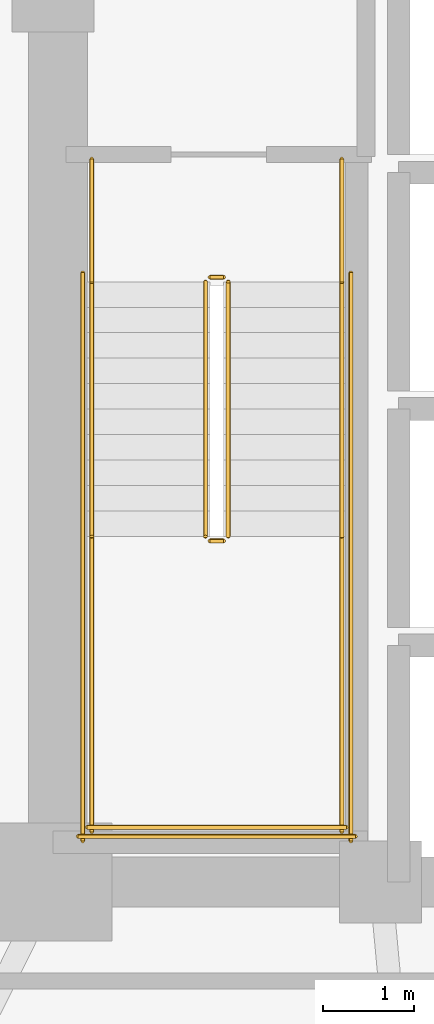
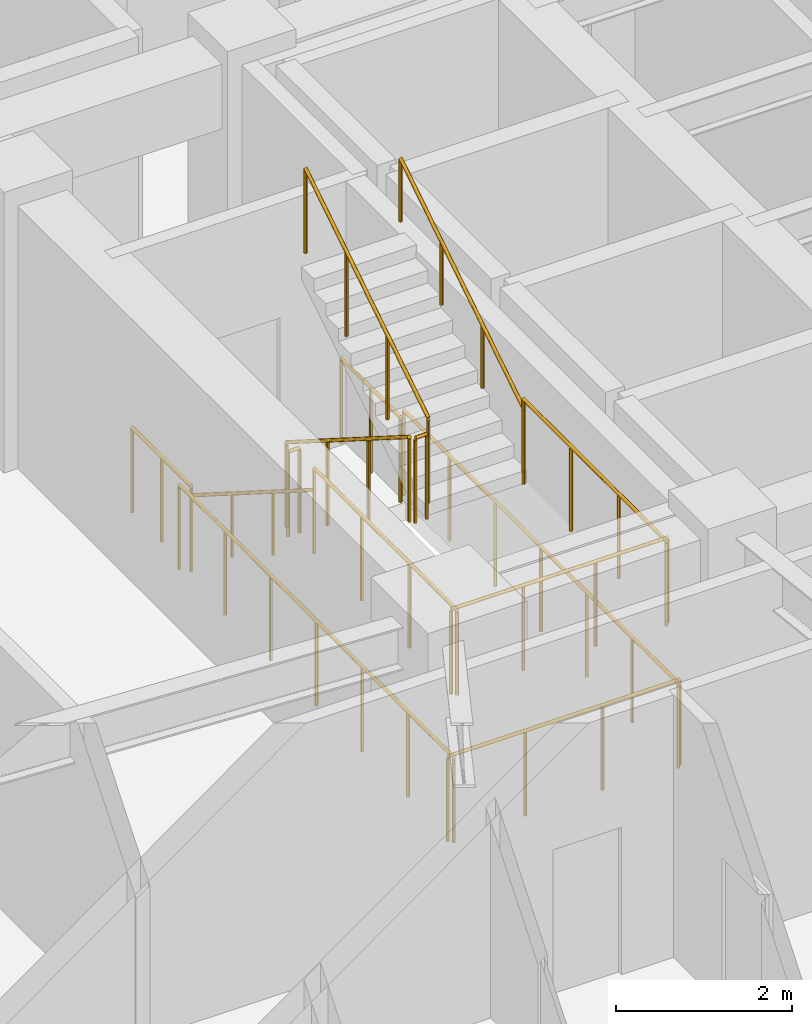
# One storey, part 10 of 11: 14 railings.
"""IFC4 building model written with IfcOpenShell, lengths in metres."""

from ifc_helpers import new_model, si_unit, direction, frame, origin, origin_2d, place, context, subcontext, project, spatial, circle, extrude, material, type_object, element, save


model = new_model("IFC4")

# Units and contexts
model_context = context("Model", 3, precision=1e-05, world=origin(), true_north=direction((0.0, 1.0)))
body_context = subcontext(model_context, "Body", "Model", "MODEL_VIEW")
ifc_project = project(units=[si_unit("LENGTHUNIT", "METRE"), si_unit("AREAUNIT", "SQUARE_METRE"), si_unit("VOLUMEUNIT", "CUBIC_METRE"), si_unit("PLANEANGLEUNIT", "RADIAN"), si_unit("MASSUNIT", "GRAM", prefix="KILO")], contexts=[model_context])

# Site, building, storey
site_placement = place(None, origin())
site = spatial("IfcSite", under=ifc_project, at=site_placement, CompositionType="ELEMENT")
building_placement = place(site_placement, origin())
building = spatial("IfcBuilding", under=site, at=building_placement, Name="Voryun Gate Residences", CompositionType="ELEMENT")
storey_placement = place(building_placement, frame((0.0, 0.0, 97.5)))
storey = spatial("IfcBuildingStorey", under=building, at=storey_placement, Name="L23", CompositionType="ELEMENT", Elevation=97.5)

# Railings
ifc_material_1 = material(Name="Painted steel", Category="steel")
railing_type_1 = type_object("IfcRailingType", Name="RAIL_STAIR_GUARD_1200", PredefinedType="GUARDRAIL", material=ifc_material_1)
railing_1_placement = place(storey_placement, frame((-17.52490234375, -0.800048828125, 0.17724609375)))
element("IfcRailing", 1, at=railing_1_placement, inside=storey, type_object=railing_type_1, Name="L23 ST-W1 stair guard 1", PredefinedType="GUARDRAIL", context=body_context, shape_type="SweptSolid", body=[
    extrude(circle(Radius=0.02392578125, at=origin_2d()), frame((0.0, 0.0, 1.17578125), z_axis=(0.0, -0.844908973607, 0.534910110503), x_axis=(1.0, 0.0, 0.0)), (0.0, 0.0, 1.0), 3.31396484375),
    extrude(circle(Radius=0.02099609375, at=origin_2d()), origin(), (0.0, 0.0, 1.0), 1.15185546875),
    extrude(circle(Radius=0.02099609375, at=origin_2d()), frame((0.0, -0.933349609375, 0.5908203125)), (0.0, 0.0, 1.0), 1.15185546875),
    extrude(circle(Radius=0.02099609375, at=origin_2d()), frame((0.0, -1.86669921875, 1.181884765625)), (0.0, 0.0, 1.0), 1.15185546875),
    extrude(circle(Radius=0.02099609375, at=origin_2d()), frame((0.0, -2.800048828125, 1.772705078125)), (0.0, 0.0, 1.0), 1.15185546875),
])
railing_2_placement = place(storey_placement, frame((-17.47509765625, -3.64990234375, 1.949951171875)))
element("IfcRailing", 2, at=railing_2_placement, inside=storey, type_object=railing_type_1, Name="L23 ST-W1 stair guard 2", PredefinedType="GUARDRAIL", context=body_context, shape_type="SweptSolid", body=[
    extrude(circle(Radius=0.02392578125, at=origin_2d()), frame((0.0, 0.0, 1.17578125), z_axis=(1.0, 0.0, 0.0), x_axis=(0.0, 1.0, 0.0)), (0.0, 0.0, 1.0), 0.150146484375),
    extrude(circle(Radius=0.02099609375, at=origin_2d()), origin(), (0.0, 0.0, 1.0), 1.15185546875),
    extrude(circle(Radius=0.02099609375, at=origin_2d()), frame((0.150146484375, 0.0, 0.0)), (0.0, 0.0, 1.0), 1.15185546875),
])
for number, where, name in (
    (3, (-18.77490234375, -3.60009765625, 1.949951171875), "L23 ST-W1 stair guard 3"),
    (4, (-16.02490234375, -3.60009765625, 1.949951171875), "L23 ST-W1 stair guard 4"),
):
    element("IfcRailing", number, at=place(storey_placement, frame(where)), inside=storey, type_object=railing_type_1, Name=name, PredefinedType="GUARDRAIL", context=body_context, shape_type="SweptSolid", body=[
        extrude(circle(Radius=0.02392578125, at=origin_2d()), frame((0.0, 0.0, 1.17578125), z_axis=(0.0, -1.0, 0.0), x_axis=(1.0, 0.0, 0.0)), (0.0, 0.0, 1.0), 3.25),
        extrude(circle(Radius=0.02099609375, at=origin_2d()), origin(), (0.0, 0.0, 1.0), 1.15185546875),
        extrude(circle(Radius=0.02099609375, at=origin_2d()), frame((0.0, -1.083251953125, 0.0)), (0.0, 0.0, 1.0), 1.15185546875),
        extrude(circle(Radius=0.02099609375, at=origin_2d()), frame((0.0, -2.166748046875, 0.0)), (0.0, 0.0, 1.0), 1.15185546875),
        extrude(circle(Radius=0.02099609375, at=origin_2d()), frame((0.0, -3.25, 0.0)), (0.0, 0.0, 1.0), 1.15185546875),
    ])
railing_3_placement = place(storey_placement, frame((-18.824951171875, -6.800048828125, 1.949951171875)))
element("IfcRailing", 5, at=railing_3_placement, inside=storey, type_object=railing_type_1, Name="L23 ST-W1 stair guard 5", PredefinedType="GUARDRAIL", context=body_context, shape_type="SweptSolid", body=[
    extrude(circle(Radius=0.02392578125, at=origin_2d()), frame((0.0, 0.0, 1.17578125), z_axis=(1.0, 0.0, 0.0), x_axis=(0.0, 1.0, 0.0)), (0.0, 0.0, 1.0), 2.849853515625),
    extrude(circle(Radius=0.02099609375, at=origin_2d()), origin(), (0.0, 0.0, 1.0), 1.15185546875),
    extrude(circle(Radius=0.02099609375, at=origin_2d()), frame((0.949951171875, 0.0, 0.0)), (0.0, 0.0, 1.0), 1.15185546875),
    extrude(circle(Radius=0.02099609375, at=origin_2d()), frame((1.89990234375, 0.0, 0.0)), (0.0, 0.0, 1.0), 1.15185546875),
    extrude(circle(Radius=0.02099609375, at=origin_2d()), frame((2.849853515625, 0.0, 0.0)), (0.0, 0.0, 1.0), 1.15185546875),
])
railing_4_placement = place(storey_placement, frame((-17.27490234375, -3.60009765625, 2.127197265625)))
element("IfcRailing", 6, at=railing_4_placement, inside=storey, type_object=railing_type_1, Name="L23 ST-W1 stair guard 6", PredefinedType="GUARDRAIL", context=body_context, shape_type="SweptSolid", body=[
    extrude(circle(Radius=0.02392578125, at=origin_2d()), frame((0.0, 0.0, 1.17578125), z_axis=(0.0, 0.844908973607, 0.534910110503), x_axis=(-1.0, 0.0, 0.0)), (0.0, 0.0, 1.0), 3.31396484375),
    extrude(circle(Radius=0.02099609375, at=origin_2d()), origin(), (0.0, 0.0, 1.0), 1.15185546875),
    extrude(circle(Radius=0.02099609375, at=origin_2d()), frame((0.0, 0.933349609375, 0.5908203125)), (0.0, 0.0, 1.0), 1.15185546875),
    extrude(circle(Radius=0.02099609375, at=origin_2d()), frame((0.0, 1.86669921875, 1.181884765625)), (0.0, 0.0, 1.0), 1.15185546875),
    extrude(circle(Radius=0.02099609375, at=origin_2d()), frame((0.0, 2.800048828125, 1.772705078125)), (0.0, 0.0, 1.0), 1.15185546875),
])
railing_5_placement = place(storey_placement, frame((-17.47509765625, -0.75, 0.0)))
element("IfcRailing", 7, at=railing_5_placement, inside=storey, type_object=railing_type_1, Name="L23 ST-W1 stair guard 7", PredefinedType="GUARDRAIL", context=body_context, shape_type="SweptSolid", body=[
    extrude(circle(Radius=0.02392578125, at=origin_2d()), frame((0.0, 0.0, 1.17578125), z_axis=(1.0, 0.0, 0.0), x_axis=(0.0, 1.0, 0.0)), (0.0, 0.0, 1.0), 0.150146484375),
    extrude(circle(Radius=0.02099609375, at=origin_2d()), origin(), (0.0, 0.0, 1.0), 1.15185546875),
    extrude(circle(Radius=0.02099609375, at=origin_2d()), frame((0.150146484375, 0.0, 0.0)), (0.0, 0.0, 1.0), 1.15185546875),
])
for number, where, name in (
    (8, (-18.77490234375, 0.550048828125, 0.0), "L23 ST-W1 stair guard 8"),
    (9, (-16.02490234375, 0.550048828125, 0.0), "L23 ST-W1 stair guard 9"),
):
    element("IfcRailing", number, at=place(storey_placement, frame(where)), inside=storey, type_object=railing_type_1, Name=name, PredefinedType="GUARDRAIL", context=body_context, shape_type="SweptSolid", body=[
        extrude(circle(Radius=0.02392578125, at=origin_2d()), frame((0.0, 0.0, 1.17578125), z_axis=(0.0, -1.0, 0.0), x_axis=(1.0, 0.0, 0.0)), (0.0, 0.0, 1.0), 1.35009765625),
        extrude(circle(Radius=0.02099609375, at=origin_2d()), origin(), (0.0, 0.0, 1.0), 1.15185546875),
        extrude(circle(Radius=0.02099609375, at=origin_2d()), frame((0.0, -0.675048828125, 0.0)), (0.0, 0.0, 1.0), 1.15185546875),
        extrude(circle(Radius=0.02099609375, at=origin_2d()), frame((0.0, -1.35009765625, 0.0)), (0.0, 0.0, 1.0), 1.15185546875),
    ])
for number, where, name in (
    (10, (-18.875, -0.699951171875, 0.0), "L23 ST-W1 stair guard 10"),
    (11, (-15.925048828125, -0.699951171875, 0.0), "L23 ST-W1 stair guard 11"),
):
    element("IfcRailing", number, at=place(storey_placement, frame(where)), inside=storey, type_object=railing_type_1, Name=name, PredefinedType="GUARDRAIL", context=body_context, shape_type="SweptSolid", body=[
        extrude(circle(Radius=0.02392578125, at=origin_2d()), frame((0.0, 0.0, 1.17578125), z_axis=(0.0, -1.0, 0.0), x_axis=(1.0, 0.0, 0.0)), (0.0, 0.0, 1.0), 6.25),
        extrude(circle(Radius=0.02099609375, at=origin_2d()), origin(), (0.0, 0.0, 1.0), 1.15185546875),
        extrude(circle(Radius=0.02099609375, at=origin_2d()), frame((0.0, -1.041748046875, 0.0)), (0.0, 0.0, 1.0), 1.15185546875),
        extrude(circle(Radius=0.02099609375, at=origin_2d()), frame((0.0, -2.083251953125, 0.0)), (0.0, 0.0, 1.0), 1.15185546875),
        extrude(circle(Radius=0.02099609375, at=origin_2d()), frame((0.0, -3.125, 0.0)), (0.0, 0.0, 1.0), 1.15185546875),
        extrude(circle(Radius=0.02099609375, at=origin_2d()), frame((0.0, -4.166748046875, 0.0)), (0.0, 0.0, 1.0), 1.15185546875),
        extrude(circle(Radius=0.02099609375, at=origin_2d()), frame((0.0, -5.208251953125, 0.0)), (0.0, 0.0, 1.0), 1.15185546875),
        extrude(circle(Radius=0.02099609375, at=origin_2d()), frame((0.0, -6.25, 0.0)), (0.0, 0.0, 1.0), 1.15185546875),
    ])
railing_6_placement = place(storey_placement, frame((-18.925048828125, -6.89990234375, 0.0)))
element("IfcRailing", 12, at=railing_6_placement, inside=storey, type_object=railing_type_1, Name="L23 ST-W1 stair guard 12", PredefinedType="GUARDRAIL", context=body_context, shape_type="SweptSolid", body=[
    extrude(circle(Radius=0.02392578125, at=origin_2d()), frame((0.0, 0.0, 1.17578125), z_axis=(1.0, 0.0, 0.0), x_axis=(0.0, 1.0, 0.0)), (0.0, 0.0, 1.0), 3.050048828125),
    extrude(circle(Radius=0.02099609375, at=origin_2d()), origin(), (0.0, 0.0, 1.0), 1.15185546875),
    extrude(circle(Radius=0.02099609375, at=origin_2d()), frame((1.0166015625, 0.0, 0.0)), (0.0, 0.0, 1.0), 1.15185546875),
    extrude(circle(Radius=0.02099609375, at=origin_2d()), frame((2.033447265625, 0.0, 0.0)), (0.0, 0.0, 1.0), 1.15185546875),
    extrude(circle(Radius=0.02099609375, at=origin_2d()), frame((3.050048828125, 0.0, 0.0)), (0.0, 0.0, 1.0), 1.15185546875),
])
ifc_material_2 = material(Name="Painted steel", Category="steel")
railing_type_2 = type_object("IfcRailingType", Name="RAIL_STAIR_HANDRAIL_900", PredefinedType="HANDRAIL", material=ifc_material_2)
railing_7_placement = place(storey_placement, frame((-18.77490234375, -0.800048828125, 0.17724609375)))
element("IfcRailing", 13, at=railing_7_placement, inside=storey, type_object=railing_type_2, Name="L23 ST-W1 stair handrail 1", PredefinedType="HANDRAIL", context=body_context, shape_type="SweptSolid", body=[
    extrude(circle(Radius=0.02392578125, at=origin_2d()), frame((0.0, 0.0, 0.8759765625), z_axis=(0.0, -0.844908973607, 0.534910110503), x_axis=(1.0, 0.0, 0.0)), (0.0, 0.0, 1.0), 3.31396484375),
    extrude(circle(Radius=0.02099609375, at=origin_2d()), origin(), (0.0, 0.0, 1.0), 0.851806640625),
    extrude(circle(Radius=0.02099609375, at=origin_2d()), frame((0.0, -0.933349609375, 0.5908203125)), (0.0, 0.0, 1.0), 0.851806640625),
    extrude(circle(Radius=0.02099609375, at=origin_2d()), frame((0.0, -1.86669921875, 1.181884765625)), (0.0, 0.0, 1.0), 0.851806640625),
    extrude(circle(Radius=0.02099609375, at=origin_2d()), frame((0.0, -2.800048828125, 1.772705078125)), (0.0, 0.0, 1.0), 0.851806640625),
])
railing_8_placement = place(storey_placement, frame((-16.02490234375, -3.60009765625, 2.127197265625)))
element("IfcRailing", 14, at=railing_8_placement, inside=storey, type_object=railing_type_2, Name="L23 ST-W1 stair handrail 2", PredefinedType="HANDRAIL", context=body_context, shape_type="SweptSolid", body=[
    extrude(circle(Radius=0.02392578125, at=origin_2d()), frame((0.0, 0.0, 0.8759765625), z_axis=(0.0, 0.844908973607, 0.534910110503), x_axis=(-1.0, 0.0, 0.0)), (0.0, 0.0, 1.0), 3.31396484375),
    extrude(circle(Radius=0.02099609375, at=origin_2d()), origin(), (0.0, 0.0, 1.0), 0.851806640625),
    extrude(circle(Radius=0.02099609375, at=origin_2d()), frame((0.0, 0.933349609375, 0.5908203125)), (0.0, 0.0, 1.0), 0.851806640625),
    extrude(circle(Radius=0.02099609375, at=origin_2d()), frame((0.0, 1.86669921875, 1.181884765625)), (0.0, 0.0, 1.0), 0.851806640625),
    extrude(circle(Radius=0.02099609375, at=origin_2d()), frame((0.0, 2.800048828125, 1.772705078125)), (0.0, 0.0, 1.0), 0.851806640625),
])

save(model, "model.ifc")
